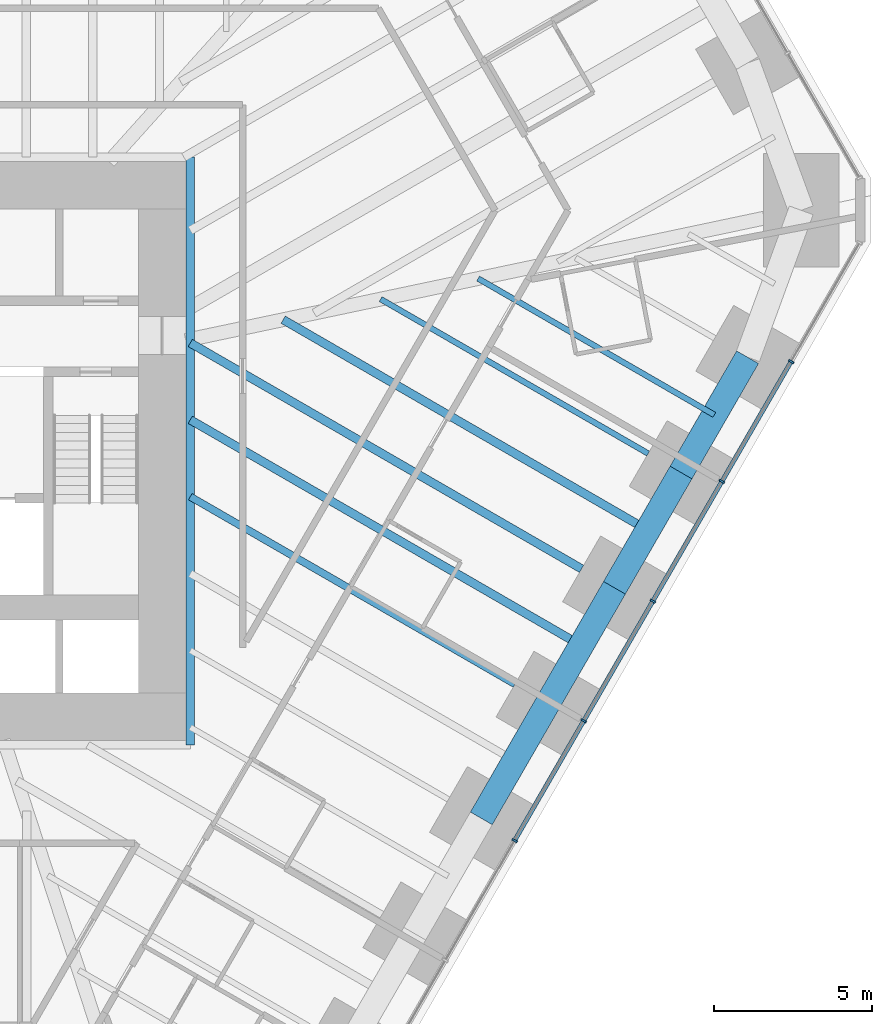
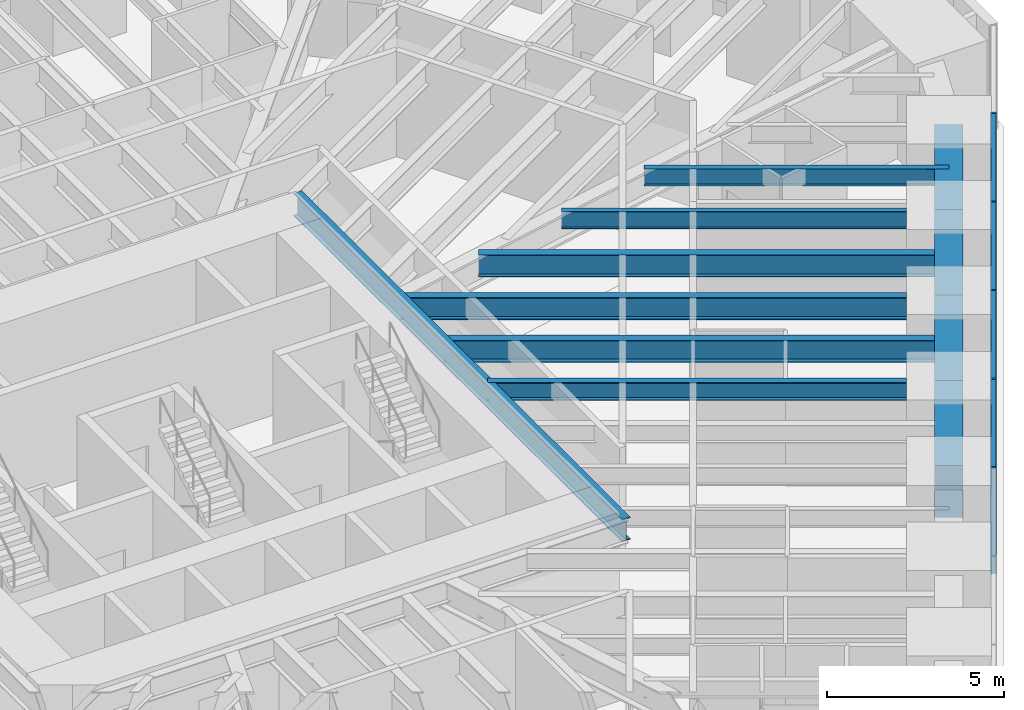
# One storey, part 6 of 17: 11 beams, 9 members, 1 element without a shape of its own.
"""IFC4 building model written with IfcOpenShell, lengths in metres."""

from ifc_helpers import new_model, si_unit, direction, frame, origin, origin_2d, place, context, subcontext, project, spatial, rectangle, i_section, extrude, material, material_profile, profile_set, type_object, element, aggregate, save


model = new_model("IFC4")

# Units and contexts
model_context = context("Model", 3, precision=1e-05, world=origin(), true_north=direction((0.0, 1.0)))
body_context = subcontext(model_context, "Body", "Model", "MODEL_VIEW")
ifc_project = project(units=[si_unit("LENGTHUNIT", "METRE"), si_unit("AREAUNIT", "SQUARE_METRE"), si_unit("VOLUMEUNIT", "CUBIC_METRE"), si_unit("PLANEANGLEUNIT", "RADIAN"), si_unit("MASSUNIT", "GRAM", prefix="KILO")], contexts=[model_context])

# Site, building, storey
site_placement = place(None, origin())
site = spatial("IfcSite", under=ifc_project, at=site_placement, CompositionType="ELEMENT")
building_placement = place(site_placement, origin())
building = spatial("IfcBuilding", under=site, at=building_placement, Name="Sandreach Pilgrim Tower", CompositionType="ELEMENT")
storey_placement = place(building_placement, frame((0.0, 0.0, 38.199951171875)))
storey = spatial("IfcBuildingStorey", under=building, at=storey_placement, Name="L08", CompositionType="ELEMENT", Elevation=38.199951171875)

# Curtain wall, members
ifc_material_1 = material(Name="Aluminium framed curtain wall", Category="aluminium")
curtain_wall_type = type_object("IfcCurtainWallType", Name="Hostel tower curtain wall", PredefinedType="NOTDEFINED", material=ifc_material_1)
curtain_wall_placement = place(storey_placement, origin())
curtain_wall = element("IfcCurtainWall", 1, at=curtain_wall_placement, inside=storey, type_object=curtain_wall_type, Name="CW-1 L08 SE", PredefinedType="NOTDEFINED")
ifc_material_2 = material(Name="Aluminium extrusion", Category="aluminium")
ifc_material_profile_1 = material_profile(ifc_material_2, rectangle(XDim=0.06494140625, YDim=0.179931640625, at=origin_2d()), Name="CW-1M 65X180")
ifc_profile_set_1 = profile_set([ifc_material_profile_1], Name="Aluminium extrusion")
member_type_1 = type_object("IfcMemberType", Name="CW-1 mullion", PredefinedType="MULLION", material=ifc_profile_set_1)
member_1_placement = place(storey_placement, frame((28.390380859375, 1.2763671875, 0.0), z_axis=(0.0, 0.0, 1.0), x_axis=(-0.5, -0.866025403784, 0.0)))
member_1 = element("IfcMember", 2, at=member_1_placement, type_object=member_type_1, Name="CW-1 mullion 2", PredefinedType="MULLION", context=body_context, shape_type="SweptSolid", body=[
    extrude(rectangle(XDim=0.06494140625, YDim=0.179931640625, at=origin_2d()), origin(), (0.0, 0.0, 1.0), 3.64013671875),
])
member_2_placement = place(storey_placement, frame((26.20458984375, -2.509521484375, 0.0), z_axis=(0.0, 0.0, 1.0), x_axis=(-0.5, -0.866025403784, 0.0)))
member_2 = element("IfcMember", 3, at=member_2_placement, type_object=member_type_1, Name="CW-1 mullion 3", PredefinedType="MULLION", context=body_context, shape_type="SweptSolid", body=[
    extrude(rectangle(XDim=0.06494140625, YDim=0.179931640625, at=origin_2d()), origin(), (0.0, 0.0, 1.0), 3.64013671875),
])
member_3_placement = place(storey_placement, frame((24.018798828125, -6.29541015625, 0.0), z_axis=(0.0, 0.0, 1.0), x_axis=(-0.5, -0.866025403784, 0.0)))
member_3 = element("IfcMember", 4, at=member_3_placement, type_object=member_type_1, Name="CW-1 mullion 4", PredefinedType="MULLION", context=body_context, shape_type="SweptSolid", body=[
    extrude(rectangle(XDim=0.06494140625, YDim=0.179931640625, at=origin_2d()), origin(), (0.0, 0.0, 1.0), 3.64013671875),
])
member_4_placement = place(storey_placement, frame((21.8330078125, -10.081298828125, 0.0), z_axis=(0.0, 0.0, 1.0), x_axis=(-0.5, -0.866025403784, 0.0)))
member_4 = element("IfcMember", 5, at=member_4_placement, type_object=member_type_1, Name="CW-1 mullion 5", PredefinedType="MULLION", context=body_context, shape_type="SweptSolid", body=[
    extrude(rectangle(XDim=0.06494140625, YDim=0.179931640625, at=origin_2d()), origin(), (0.0, 0.0, 1.0), 3.64013671875),
])
member_5_placement = place(storey_placement, frame((19.647216796875, -13.8671875, 0.0), z_axis=(0.0, 0.0, 1.0), x_axis=(-0.5, -0.866025403784, 0.0)))
member_5 = element("IfcMember", 6, at=member_5_placement, type_object=member_type_1, Name="CW-1 mullion 6", PredefinedType="MULLION", context=body_context, shape_type="SweptSolid", body=[
    extrude(rectangle(XDim=0.06494140625, YDim=0.179931640625, at=origin_2d()), origin(), (0.0, 0.0, 1.0), 3.64013671875),
])
ifc_material_3 = material(Name="Aluminium extrusion", Category="aluminium")
ifc_material_profile_2 = material_profile(ifc_material_3, rectangle(XDim=0.139892578125, YDim=0.070068359375, at=origin_2d()), Name="CW-1T 140X70")
ifc_profile_set_2 = profile_set([ifc_material_profile_2], Name="Aluminium extrusion")
member_type_2 = type_object("IfcMemberType", Name="CW-1 transom", PredefinedType="USERDEFINED", material=ifc_profile_set_2)
member_6_placement = place(storey_placement, frame((28.374267578125, 1.248046875, 3.60498046875), z_axis=(-0.500016891966, -0.866015650984, 0.0), x_axis=(0.866015650984, -0.500016891966, 0.0)))
member_6 = element("IfcMember", 7, at=member_6_placement, type_object=member_type_2, Name="CW-1 head transom 2", ObjectType="TRANSOM", PredefinedType="USERDEFINED", context=body_context, shape_type="SweptSolid", body=[
    extrude(rectangle(XDim=0.139892578125, YDim=0.070068359375, at=origin_2d()), origin(), (0.0, 0.0, 1.0), 4.306396484375),
])
member_7_placement = place(storey_placement, frame((26.1884765625, -2.537841796875, 3.60498046875), z_axis=(-0.500016891966, -0.866015650984, 0.0), x_axis=(0.866015650984, -0.500016891966, 0.0)))
member_7 = element("IfcMember", 8, at=member_7_placement, type_object=member_type_2, Name="CW-1 head transom 3", ObjectType="TRANSOM", PredefinedType="USERDEFINED", context=body_context, shape_type="SweptSolid", body=[
    extrude(rectangle(XDim=0.139892578125, YDim=0.070068359375, at=origin_2d()), origin(), (0.0, 0.0, 1.0), 4.306396484375),
])
member_8_placement = place(storey_placement, frame((24.002685546875, -6.32373046875, 3.60498046875), z_axis=(-0.500016891966, -0.866015650984, 0.0), x_axis=(0.866015650984, -0.500016891966, 0.0)))
member_8 = element("IfcMember", 9, at=member_8_placement, type_object=member_type_2, Name="CW-1 head transom 4", ObjectType="TRANSOM", PredefinedType="USERDEFINED", context=body_context, shape_type="SweptSolid", body=[
    extrude(rectangle(XDim=0.139892578125, YDim=0.070068359375, at=origin_2d()), origin(), (0.0, 0.0, 1.0), 4.306396484375),
])
member_9_placement = place(storey_placement, frame((21.81689453125, -10.109619140625, 3.60498046875), z_axis=(-0.500016891966, -0.866015650984, 0.0), x_axis=(0.866015650984, -0.500016891966, 0.0)))
member_9 = element("IfcMember", 10, at=member_9_placement, type_object=member_type_2, Name="CW-1 head transom 5", ObjectType="TRANSOM", PredefinedType="USERDEFINED", context=body_context, shape_type="SweptSolid", body=[
    extrude(rectangle(XDim=0.139892578125, YDim=0.070068359375, at=origin_2d()), origin(), (0.0, 0.0, 1.0), 4.306396484375),
])
aggregate(curtain_wall, [member_1, member_2, member_3, member_4, member_5, member_6, member_7, member_8, member_9])

# Beams
ifc_material_4 = material(Name="Steel ASTM A992 Grade 50", Category="steel")
ifc_material_profile_3 = material_profile(ifc_material_4, i_section(OverallWidth=0.2666015625, OverallDepth=0.77978515625, WebThickness=0.0166015625, FlangeThickness=0.030029296875, at=origin_2d()), Name="W30X148")
ifc_profile_set_3 = profile_set([ifc_material_profile_3], Name="Steel ASTM A992 Grade 50")
beam_type_1 = type_object("IfcBeamType", Name="Core edge beam W30X148", PredefinedType="BEAM", material=ifc_profile_set_3)
beam_1_placement = place(storey_placement, frame((9.393310546875, 7.743408203125, 3.250244140625), z_axis=(0.0, -1.0, 0.0), x_axis=(1.0, 0.0, 0.0)))
element("IfcBeam", 11, at=beam_1_placement, inside=storey, type_object=beam_type_1, Name="BM L08 CEE", PredefinedType="BEAM", context=body_context, shape_type="SweptSolid", body=[
    extrude(i_section(OverallWidth=0.2666015625, OverallDepth=0.77978515625, WebThickness=0.0166015625, FlangeThickness=0.030029296875, at=origin_2d()), origin(), (0.0, 0.0, 1.0), 18.586669921875),
])
ifc_material_5 = material(Name="Steel ASTM A992 Grade 50", Category="steel")
ifc_material_profile_4 = material_profile(ifc_material_5, i_section(OverallWidth=0.1787109375, OverallDepth=0.60205078125, WebThickness=0.010986328125, FlangeThickness=0.014892578125, at=origin_2d()), Name="W24X62")
ifc_profile_set_4 = profile_set([ifc_material_profile_4], Name="Steel ASTM A992 Grade 50")
beam_type_2 = type_object("IfcBeamType", Name="Floor beam W24X62", PredefinedType="BEAM", material=ifc_profile_set_4)
beam_2_placement = place(storey_placement, frame((23.8720703125, -1.629638671875, 3.339111328125), z_axis=(-0.866025751498, 0.499999397742, 0.0), x_axis=(-0.499999397742, -0.866025751498, 0.0)))
element("IfcBeam", 12, at=beam_2_placement, inside=storey, type_object=beam_type_2, Name="BM L08 F15", PredefinedType="BEAM", context=body_context, shape_type="SweptSolid", body=[
    extrude(i_section(OverallWidth=0.1787109375, OverallDepth=0.60205078125, WebThickness=0.010986328125, FlangeThickness=0.014892578125, at=origin_2d()), origin(), (0.0, 0.0, 1.0), 9.767578125),
])
beam_3_placement = place(storey_placement, frame((25.9638671875, -0.40673828125, 3.339111328125), z_axis=(-0.866020100198, 0.500009185969, 0.0), x_axis=(-0.500009185969, -0.866020100198, 0.0)))
element("IfcBeam", 13, at=beam_3_placement, inside=storey, type_object=beam_type_2, Name="BM L08 FM14", PredefinedType="BEAM", context=body_context, shape_type="SweptSolid", body=[
    extrude(i_section(OverallWidth=0.1787109375, OverallDepth=0.60205078125, WebThickness=0.010986328125, FlangeThickness=0.014892578125, at=origin_2d()), origin(), (0.0, 0.0, 1.0), 8.623291015625),
])
ifc_material_6 = material(Name="Steel ASTM A992 Grade 50", Category="steel")
ifc_material_profile_5 = material_profile(ifc_material_6, i_section(OverallWidth=0.23046875, OverallDepth=0.6171875, WebThickness=0.01318359375, FlangeThickness=0.022216796875, at=origin_2d()), Name="W24X94")
ifc_profile_set_5 = profile_set([ifc_material_profile_5], Name="Steel ASTM A992 Grade 50")
beam_type_3 = type_object("IfcBeamType", Name="Floor beam W24X94", PredefinedType="BEAM", material=ifc_profile_set_5)
beam_4_placement = place(storey_placement, frame((19.662353515625, -8.92138671875, 3.33154296875), z_axis=(-0.866029924088, 0.499992170523, 0.0), x_axis=(-0.499992170523, -0.866029924088, 0.0)))
element("IfcBeam", 14, at=beam_4_placement, inside=storey, type_object=beam_type_3, Name="BM L08 F17", PredefinedType="BEAM", context=body_context, shape_type="SweptSolid", body=[
    extrude(i_section(OverallWidth=0.23046875, OverallDepth=0.6171875, WebThickness=0.01318359375, FlangeThickness=0.022216796875, at=origin_2d()), origin(), (0.0, 0.0, 1.0), 11.857666015625),
])
ifc_material_7 = material(Name="Steel ASTM A992 Grade 50", Category="steel")
ifc_material_profile_6 = material_profile(ifc_material_7, i_section(OverallWidth=0.2666015625, OverallDepth=0.761962890625, WebThickness=0.014404296875, FlangeThickness=0.021484375, at=origin_2d()), Name="W30X116")
ifc_profile_set_6 = profile_set([ifc_material_profile_6], Name="Steel ASTM A992 Grade 50")
beam_type_4 = type_object("IfcBeamType", Name="Floor beam W30X116", PredefinedType="BEAM", material=ifc_profile_set_6)
beam_5_placement = place(storey_placement, frame((21.76708984375, -5.275390625, 3.259033203125), z_axis=(-0.866024247282, 0.500002003116, 0.0), x_axis=(-0.500002003116, -0.866024247282, 0.0)))
element("IfcBeam", 15, at=beam_5_placement, inside=storey, type_object=beam_type_4, Name="BM L08 F16", PredefinedType="BEAM", context=body_context, shape_type="SweptSolid", body=[
    extrude(i_section(OverallWidth=0.2666015625, OverallDepth=0.761962890625, WebThickness=0.014404296875, FlangeThickness=0.021484375, at=origin_2d()), origin(), (0.0, 0.0, 1.0), 14.2880859375),
])
beam_6_placement = place(storey_placement, frame((23.85888671875, -4.052490234375, 3.259033203125), z_axis=(-0.866029213426, 0.499993401449, 0.0), x_axis=(-0.499993401449, -0.866029213426, 0.0)))
element("IfcBeam", 16, at=beam_6_placement, inside=storey, type_object=beam_type_4, Name="BM L08 FM15", PredefinedType="BEAM", context=body_context, shape_type="SweptSolid", body=[
    extrude(i_section(OverallWidth=0.2666015625, OverallDepth=0.761962890625, WebThickness=0.014404296875, FlangeThickness=0.021484375, at=origin_2d()), origin(), (0.0, 0.0, 1.0), 13.311767578125),
])
beam_7_placement = place(storey_placement, frame((21.75390625, -7.698486328125, 3.259033203125), z_axis=(-0.866022935671, 0.500004274874, 0.0), x_axis=(-0.500004274874, -0.866022935671, 0.0)))
element("IfcBeam", 17, at=beam_7_placement, inside=storey, type_object=beam_type_4, Name="BM L08 FM16", PredefinedType="BEAM", context=body_context, shape_type="SweptSolid", body=[
    extrude(i_section(OverallWidth=0.2666015625, OverallDepth=0.761962890625, WebThickness=0.014404296875, FlangeThickness=0.021484375, at=origin_2d()), origin(), (0.0, 0.0, 1.0), 14.27294921875),
])
ifc_material_8 = material(Name="Concrete 10000 psi", Category="concrete")
ifc_material_profile_7 = material_profile(ifc_material_8, rectangle(XDim=0.800048828125, YDim=1.800048828125, at=origin_2d()), Name="RC800X1800")
ifc_profile_set_7 = profile_set([ifc_material_profile_7], Name="Concrete 10000 psi")
beam_type_5 = type_object("IfcBeamType", Name="Spandrel beam RC800X1800", PredefinedType="SPANDREL", material=ifc_profile_set_7)
beam_8_placement = place(storey_placement, frame((27.016357421875, 1.416259765625, 2.739990234375), z_axis=(-0.499993523031, -0.866029143232, 0.0), x_axis=(0.866029143232, -0.499993523031, 0.0)))
element("IfcBeam", 18, at=beam_8_placement, inside=storey, type_object=beam_type_5, Name="BM L08 SP14", PredefinedType="SPANDREL", context=body_context, shape_type="SweptSolid", body=[
    extrude(rectangle(XDim=0.800048828125, YDim=1.800048828125, at=origin_2d()), origin(), (0.0, 0.0, 1.0), 4.2099609375),
])
beam_9_placement = place(storey_placement, frame((24.911376953125, -2.229736328125, 2.739990234375), z_axis=(-0.50001863446, -0.866014644907, 0.0), x_axis=(0.866014644907, -0.50001863446, 0.0)))
element("IfcBeam", 19, at=beam_9_placement, inside=storey, type_object=beam_type_5, Name="BM L08 SP15", PredefinedType="SPANDREL", context=body_context, shape_type="SweptSolid", body=[
    extrude(rectangle(XDim=0.800048828125, YDim=1.800048828125, at=origin_2d()), origin(), (0.0, 0.0, 1.0), 4.209716796875),
])
beam_10_placement = place(storey_placement, frame((22.806396484375, -5.87548828125, 2.739990234375), z_axis=(-0.499993523031, -0.866029143232, 0.0), x_axis=(0.866029143232, -0.499993523031, 0.0)))
element("IfcBeam", 20, at=beam_10_placement, inside=storey, type_object=beam_type_5, Name="BM L08 SP16", PredefinedType="SPANDREL", context=body_context, shape_type="SweptSolid", body=[
    extrude(rectangle(XDim=0.800048828125, YDim=1.800048828125, at=origin_2d()), origin(), (0.0, 0.0, 1.0), 4.2099609375),
])
beam_11_placement = place(storey_placement, frame((20.701416015625, -9.521484375, 2.739990234375), z_axis=(-0.50001863446, -0.866014644907, 0.0), x_axis=(0.866014644907, -0.50001863446, 0.0)))
element("IfcBeam", 21, at=beam_11_placement, inside=storey, type_object=beam_type_5, Name="BM L08 SP17", PredefinedType="SPANDREL", context=body_context, shape_type="SweptSolid", body=[
    extrude(rectangle(XDim=0.800048828125, YDim=1.800048828125, at=origin_2d()), origin(), (0.0, 0.0, 1.0), 4.209716796875),
])

save(model, "model.ifc")
